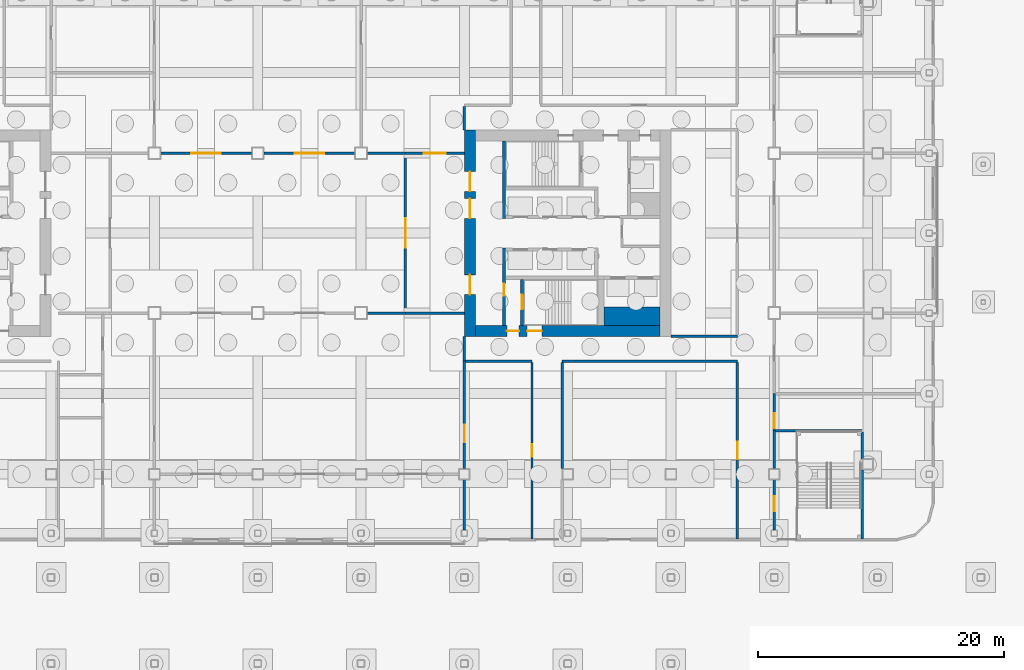
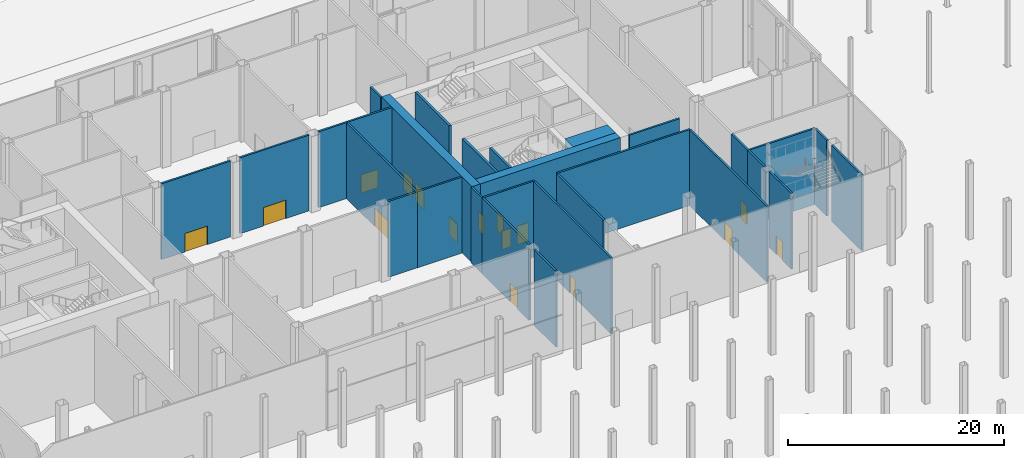
# One storey, part 40 of 113: 29 walls, 16 doors, 16 openings.
"""IFC4 building model written with IfcOpenShell, lengths in metres."""

from ifc_helpers import new_model, si_unit, direction, frame, frame_2d, origin, place, context, subcontext, project, spatial, rectangle, extrude, material, layer, layer_set, type_object, element, fill, save


model = new_model("IFC4")

# Units and contexts
model_context = context("Model", 3, precision=1e-05, world=origin(), true_north=direction((0.0, 1.0)))
body_context = subcontext(model_context, "Body", "Model", "MODEL_VIEW")
ifc_project = project(units=[si_unit("LENGTHUNIT", "METRE"), si_unit("AREAUNIT", "SQUARE_METRE"), si_unit("VOLUMEUNIT", "CUBIC_METRE"), si_unit("PLANEANGLEUNIT", "RADIAN"), si_unit("MASSUNIT", "GRAM", prefix="KILO")], contexts=[model_context])

# Site, building, storey
site_placement = place(None, origin())
site = spatial("IfcSite", under=ifc_project, at=site_placement, CompositionType="ELEMENT")
building_placement = place(site_placement, origin())
building = spatial("IfcBuilding", under=site, at=building_placement, Name="Hakoniwa Tower and Hamabe Station Hall", CompositionType="ELEMENT")
storey_placement = place(building_placement, origin())
storey = spatial("IfcBuildingStorey", under=building, at=storey_placement, Name="L01", CompositionType="ELEMENT", Elevation=0.0)

# Wall, openings, doors
ifc_material_1 = material(Name="Concrete C80", Category="concrete")
ifc_layer_1 = layer(ifc_material_1, 0.89990234375)
ifc_layer_set_1 = layer_set([ifc_layer_1], Name="CORE WALL 900 C80")
wall_type_1 = type_object("IfcWallType", Name="CORE WALL 900 C80", PredefinedType="SHEAR", material=ifc_layer_set_1)
wall_1_placement = place(storey_placement, frame((17.25, -8.39990234375, 0.0), z_axis=(0.0, 0.0, 1.0), x_axis=(0.0, 1.0, 0.0)))
wall_1 = element("IfcWall", 1, at=wall_1_placement, inside=storey, type_object=wall_type_1, Name="Core wall INNER east", PredefinedType="SHEAR", context=body_context, shape_type="SweptSolid", body=[
    extrude(rectangle(XDim=16.7998046875, YDim=0.89990234375, at=frame_2d((8.39990234375, 0.0))), origin(), (0.0, 0.0, 1.0), 8.60009765625),
])
opening_1_placement = place(wall_1_placement, frame((3.39990234375, 0.0, 0.0)))
opening_1 = element("IfcOpeningElement", 2, at=opening_1_placement, cuts=wall_1, Name="Opening CD-E-IN1-16", PredefinedType="OPENING", context=body_context, shape_type="SweptSolid", body=[
    extrude(rectangle(XDim=1.60009765625, YDim=2.10009765625, at=frame_2d((0.800048828125, 1.050048828125))), frame((0.0, 0.4599609375, 0.0), z_axis=(0.0, -1.0, 0.0), x_axis=(1.0, 0.0, 0.0)), (0.0, 0.0, 1.0), 0.919921875),
])
opening_2_placement = place(wall_1_placement, frame((9.60009765625, 0.0, 0.0)))
opening_2 = element("IfcOpeningElement", 3, at=opening_2_placement, cuts=wall_1, Name="Opening CD-E-IN2-16", PredefinedType="OPENING", context=body_context, shape_type="SweptSolid", body=[
    extrude(rectangle(XDim=1.60009765625, YDim=2.10009765625, at=frame_2d((0.800048828125, 1.050048828125))), frame((0.0, 0.4599609375, 0.0), z_axis=(0.0, -1.0, 0.0), x_axis=(1.0, 0.0, 0.0)), (0.0, 0.0, 1.0), 0.919921875),
])
opening_3_placement = place(wall_1_placement, frame((11.800048828125, 0.0, 0.0)))
opening_3 = element("IfcOpeningElement", 4, at=opening_3_placement, cuts=wall_1, Name="Opening CD-E-IN3-16", PredefinedType="OPENING", context=body_context, shape_type="SweptSolid", body=[
    extrude(rectangle(XDim=1.60009765625, YDim=2.10009765625, at=frame_2d((0.800048828125, 1.050048828125))), frame((0.0, 0.4599609375, 0.0), z_axis=(0.0, -1.0, 0.0), x_axis=(1.0, 0.0, 0.0)), (0.0, 0.0, 1.0), 0.919921875),
])
ifc_material_2 = material(Name="Steel fire door", Category="steel")
door_type_1 = type_object("IfcDoorType", Name="CORE DOOR 1600 FD60", OperationType="DOUBLE_DOOR_SINGLE_SWING", PredefinedType="DOOR", material=ifc_material_2)
door_1_placement = place(opening_1_placement, origin())
door_1 = element("IfcDoor", 5, at=door_1_placement, inside=storey, type_object=door_type_1, Name="Lift lobby door", OperationType="DOUBLE_DOOR_SINGLE_SWING", OverallHeight=2.10009765625, OverallWidth=1.60009765625, PredefinedType="DOOR", context=body_context, shape_type="SweptSolid", body=[
    extrude(rectangle(XDim=1.60009765625, YDim=2.10009765625, at=frame_2d((0.800048828125, 1.050048828125))), frame((0.0, 0.02490234375, 0.0), z_axis=(0.0, -1.0, 0.0), x_axis=(1.0, 0.0, 0.0)), (0.0, 0.0, 1.0), 0.050048828125),
])
fill(opening_1, door_1)
door_2_placement = place(opening_2_placement, origin())
door_2 = element("IfcDoor", 6, at=door_2_placement, inside=storey, type_object=door_type_1, Name="Lift lobby door", OperationType="DOUBLE_DOOR_SINGLE_SWING", OverallHeight=2.10009765625, OverallWidth=1.60009765625, PredefinedType="DOOR", context=body_context, shape_type="SweptSolid", body=[
    extrude(rectangle(XDim=1.60009765625, YDim=2.10009765625, at=frame_2d((0.800048828125, 1.050048828125))), frame((0.0, 0.02490234375, 0.0), z_axis=(0.0, -1.0, 0.0), x_axis=(1.0, 0.0, 0.0)), (0.0, 0.0, 1.0), 0.050048828125),
])
fill(opening_2, door_2)
door_3_placement = place(opening_3_placement, origin())
door_3 = element("IfcDoor", 7, at=door_3_placement, inside=storey, type_object=door_type_1, Name="Lift lobby door", OperationType="DOUBLE_DOOR_SINGLE_SWING", OverallHeight=2.10009765625, OverallWidth=1.60009765625, PredefinedType="DOOR", context=body_context, shape_type="SweptSolid", body=[
    extrude(rectangle(XDim=1.60009765625, YDim=2.10009765625, at=frame_2d((0.800048828125, 1.050048828125))), frame((0.0, 0.02490234375, 0.0), z_axis=(0.0, -1.0, 0.0), x_axis=(1.0, 0.0, 0.0)), (0.0, 0.0, 1.0), 0.050048828125),
])
fill(opening_3, door_3)

wall_2_placement = place(storey_placement, frame((17.699951171875, -7.949951171875, 0.0), z_axis=(0.0, 0.0, 1.0), x_axis=(1.0, 0.0, 0.0)))
wall_2 = element("IfcWall", 8, at=wall_2_placement, inside=storey, type_object=wall_type_1, Name="Core wall SOUTH east", PredefinedType="SHEAR", context=body_context, shape_type="SweptSolid", body=[
    extrude(rectangle(XDim=15.0, YDim=0.89990234375, at=frame_2d((7.5, 0.0))), origin(), (0.0, 0.0, 1.0), 8.60009765625),
])
opening_4_placement = place(wall_2_placement, frame((2.550048828125, 0.0, 0.0)))
opening_4 = element("IfcOpeningElement", 9, at=opening_4_placement, cuts=wall_2, Name="Opening CD-E-FS3-10", PredefinedType="OPENING", context=body_context, shape_type="SweptSolid", body=[
    extrude(rectangle(XDim=1.0, YDim=2.10009765625, at=frame_2d((0.5, 1.050048828125))), frame((0.0, 0.4599609375, 0.0), z_axis=(0.0, -1.0, 0.0), x_axis=(1.0, 0.0, 0.0)), (0.0, 0.0, 1.0), 0.919921875),
])
opening_5_placement = place(wall_2_placement, frame((4.199951171875, 0.0, 0.0)))
opening_5 = element("IfcOpeningElement", 10, at=opening_5_placement, cuts=wall_2, Name="Opening CD-E-FS5-12", PredefinedType="OPENING", context=body_context, shape_type="SweptSolid", body=[
    extrude(rectangle(XDim=1.199951171875, YDim=2.10009765625, at=frame_2d((0.60009765625, 1.050048828125))), frame((0.0, 0.4599609375, 0.0), z_axis=(0.0, -1.0, 0.0), x_axis=(1.0, 0.0, 0.0)), (0.0, 0.0, 1.0), 0.919921875),
])
ifc_material_3 = material(Name="Steel fire door", Category="steel")
door_type_2 = type_object("IfcDoorType", Name="CORE DOOR 1000 FD60", OperationType="NOTDEFINED", PredefinedType="DOOR", material=ifc_material_3)
door_4_placement = place(opening_4_placement, origin())
door_4 = element("IfcDoor", 11, at=door_4_placement, inside=storey, type_object=door_type_2, Name="Stair vestibule door", OperationType="SINGLE_SWING_LEFT", OverallHeight=2.10009765625, OverallWidth=1.0, PredefinedType="DOOR", context=body_context, shape_type="SweptSolid", body=[
    extrude(rectangle(XDim=1.0, YDim=2.10009765625, at=frame_2d((0.5, 1.050048828125))), frame((0.0, 0.02490234375, 0.0), z_axis=(0.0, -1.0, 0.0), x_axis=(1.0, 0.0, 0.0)), (0.0, 0.0, 1.0), 0.050048828125),
])
fill(opening_4, door_4)
ifc_material_4 = material(Name="Steel fire door", Category="steel")
door_type_3 = type_object("IfcDoorType", Name="CORE DOOR 1200 FD60", OperationType="DOUBLE_DOOR_SINGLE_SWING", PredefinedType="DOOR", material=ifc_material_4)
door_5_placement = place(opening_5_placement, frame((1.199951171875, 0.0, 0.0), z_axis=(0.0, 0.0, 1.0), x_axis=(-1.0, 0.0, 0.0)))
door_5 = element("IfcDoor", 12, at=door_5_placement, inside=storey, type_object=door_type_3, Name="Escape stair discharge door B", OperationType="DOUBLE_DOOR_SINGLE_SWING", OverallHeight=2.10009765625, OverallWidth=1.199951171875, PredefinedType="DOOR", context=body_context, shape_type="SweptSolid", body=[
    extrude(rectangle(XDim=1.199951171875, YDim=2.10009765625, at=frame_2d((0.60009765625, 1.050048828125))), frame((0.0, 0.02490234375, 0.0), z_axis=(0.0, -1.0, 0.0), x_axis=(1.0, 0.0, 0.0)), (0.0, 0.0, 1.0), 0.050048828125),
])
fill(opening_5, door_5)

# Walls
ifc_material_5 = material(Name="Concrete C80", Category="concrete")
ifc_layer_2 = layer(ifc_material_5, 1.5)
ifc_layer_set_2 = layer_set([ifc_layer_2], Name="CORE WEB WALL 1500 C80")
wall_type_2 = type_object("IfcWallType", Name="CORE WEB WALL 1500 C80", PredefinedType="SHEAR", material=ifc_layer_set_2)
wall_3_placement = place(storey_placement, frame((28.14990234375, -6.75, 0.0), z_axis=(0.0, 0.0, 1.0), x_axis=(1.0, 0.0, 0.0)))
element("IfcWall", 13, at=wall_3_placement, inside=storey, type_object=wall_type_2, Name="Core wall SER east", PredefinedType="SHEAR", context=body_context, shape_type="SweptSolid", body=[
    extrude(rectangle(XDim=4.550048828125, YDim=1.5, at=frame_2d((2.27490234375, 0.0))), origin(), (0.0, 0.0, 1.0), 8.60009765625),
])
ifc_material_6 = material(Name="Concrete C80", Category="concrete")
ifc_layer_3 = layer(ifc_material_6, 0.25)
ifc_layer_set_3 = layer_set([ifc_layer_3], Name="CORE WEB WALL 250 C80")
wall_type_3 = type_object("IfcWallType", Name="CORE WEB WALL 250 C80", PredefinedType="SHEAR", material=ifc_layer_set_3)
wall_4_placement = place(storey_placement, frame((20.02490234375, 1.199951171875, 0.0), z_axis=(0.0, 0.0, 1.0), x_axis=(0.0, 1.0, 0.0)))
element("IfcWall", 14, at=wall_4_placement, inside=storey, type_object=wall_type_3, Name="Core wall W1N east", PredefinedType="SHEAR", context=body_context, shape_type="SweptSolid", body=[
    extrude(rectangle(XDim=6.300048828125, YDim=0.25, at=frame_2d((3.14990234375, 0.0))), origin(), (0.0, 0.0, 1.0), 8.60009765625),
])

# Wall, opening, door
wall_5_placement = place(storey_placement, frame((20.02490234375, -7.5, 0.0), z_axis=(0.0, 0.0, 1.0), x_axis=(0.0, 1.0, 0.0)))
wall_5 = element("IfcWall", 15, at=wall_5_placement, inside=storey, type_object=wall_type_3, Name="Core wall W1S east", PredefinedType="SHEAR", context=body_context, shape_type="SweptSolid", body=[
    extrude(rectangle(XDim=6.300048828125, YDim=0.25, at=frame_2d((3.14990234375, 0.0))), origin(), (0.0, 0.0, 1.0), 8.60009765625),
])
opening_6_placement = place(wall_5_placement, frame((2.39990234375, 0.0, 0.0)))
opening_6 = element("IfcOpeningElement", 16, at=opening_6_placement, cuts=wall_5, Name="Opening CD-E-VS-10", PredefinedType="OPENING", context=body_context, shape_type="SweptSolid", body=[
    extrude(rectangle(XDim=1.0, YDim=2.10009765625, at=frame_2d((0.5, 1.050048828125))), frame((0.0, 0.135009765625, 0.0), z_axis=(0.0, -1.0, 0.0), x_axis=(1.0, 0.0, 0.0)), (0.0, 0.0, 1.0), 0.27001953125),
])
door_6_placement = place(opening_6_placement, origin())
door_6 = element("IfcDoor", 17, at=door_6_placement, inside=storey, type_object=door_type_2, Name="Stair vestibule door", OperationType="SINGLE_SWING_RIGHT", OverallHeight=2.10009765625, OverallWidth=1.0, PredefinedType="DOOR", context=body_context, shape_type="SweptSolid", body=[
    extrude(rectangle(XDim=1.0, YDim=2.10009765625, at=frame_2d((0.5, 1.050048828125))), frame((0.0, 0.02490234375, 0.0), z_axis=(0.0, -1.0, 0.0), x_axis=(1.0, 0.0, 0.0)), (0.0, 0.0, 1.0), 0.050048828125),
])
fill(opening_6, door_6)

wall_6_placement = place(storey_placement, frame((21.47509765625, -7.5, 0.0), z_axis=(0.0, 0.0, 1.0), x_axis=(0.0, 1.0, 0.0)))
wall_6 = element("IfcWall", 18, at=wall_6_placement, inside=storey, type_object=wall_type_3, Name="Core wall VE east", PredefinedType="SHEAR", context=body_context, shape_type="SweptSolid", body=[
    extrude(rectangle(XDim=3.75, YDim=0.25, at=frame_2d((1.875, 0.0))), origin(), (0.0, 0.0, 1.0), 8.60009765625),
])
opening_7_placement = place(wall_6_placement, frame((1.300048828125, 0.0, 0.0)))
opening_7 = element("IfcOpeningElement", 19, at=opening_7_placement, cuts=wall_6, Name="Opening CD-E-SS-12", PredefinedType="OPENING", context=body_context, shape_type="SweptSolid", body=[
    extrude(rectangle(XDim=1.199951171875, YDim=2.10009765625, at=frame_2d((0.60009765625, 1.050048828125))), frame((0.0, 0.135009765625, 0.0), z_axis=(0.0, -1.0, 0.0), x_axis=(1.0, 0.0, 0.0)), (0.0, 0.0, 1.0), 0.27001953125),
])
door_7_placement = place(opening_7_placement, origin())
door_7 = element("IfcDoor", 20, at=door_7_placement, inside=storey, type_object=door_type_3, Name="Escape stair door", OperationType="DOUBLE_DOOR_SINGLE_SWING", OverallHeight=2.10009765625, OverallWidth=1.199951171875, PredefinedType="DOOR", context=body_context, shape_type="SweptSolid", body=[
    extrude(rectangle(XDim=1.199951171875, YDim=2.10009765625, at=frame_2d((0.60009765625, 1.050048828125))), frame((0.0, 0.02490234375, 0.0), z_axis=(0.0, -1.0, 0.0), x_axis=(1.0, 0.0, 0.0)), (0.0, 0.0, 1.0), 0.050048828125),
])
fill(opening_7, door_7)

ifc_material_7 = material(Name="Fire-rated gypsum board partition")
ifc_layer_4 = layer(ifc_material_7, 0.199951171875)
ifc_layer_set_4 = layer_set([ifc_layer_4], Name="FIRE PARTITION 200 EI 60")
wall_type_4 = type_object("IfcWallType", Name="FIRE PARTITION 200 EI 60", PredefinedType="PARTITIONING", material=ifc_layer_set_4)
wall_7_placement = place(storey_placement, frame((22.300048828125, -24.85009765625, 0.0), z_axis=(0.0, 0.0, 1.0), x_axis=(0.0, 1.0, 0.0)))
wall_7 = element("IfcWall", 21, at=wall_7_placement, inside=storey, type_object=wall_type_4, Name="Wall East Service Corridor / Hotel Gift Shop", PredefinedType="PARTITIONING", context=body_context, shape_type="SweptSolid", body=[
    extrude(rectangle(XDim=14.35009765625, YDim=0.199951171875, at=frame_2d((7.175048828125, 0.0))), origin(), (0.0, 0.0, 1.0), 8.60009765625),
])
opening_8_placement = place(wall_7_placement, frame((6.675048828125, 0.0, 0.0)))
opening_8 = element("IfcOpeningElement", 22, at=opening_8_placement, cuts=wall_7, Name="Opening PD-L01-042", PredefinedType="OPENING", context=body_context, shape_type="SweptSolid", body=[
    extrude(rectangle(XDim=1.0, YDim=2.10009765625, at=frame_2d((0.5, 1.050048828125))), frame((0.0, 0.10986328125, 0.0), z_axis=(0.0, -1.0, 0.0), x_axis=(1.0, 0.0, 0.0)), (0.0, 0.0, 1.0), 0.219970703125),
])
ifc_material_8 = material(Name="Steel fire door", Category="steel")
door_type_4 = type_object("IfcDoorType", Name="FIRE DOOR 1000X2100 FD60", OperationType="SINGLE_SWING_LEFT", PredefinedType="DOOR", material=ifc_material_8)
door_8_placement = place(opening_8_placement, origin())
door_8 = element("IfcDoor", 23, at=door_8_placement, inside=storey, type_object=door_type_4, Name="Door PD-L01-042", OperationType="SINGLE_SWING_RIGHT", OverallHeight=2.10009765625, OverallWidth=1.0, PredefinedType="DOOR", context=body_context, shape_type="SweptSolid", body=[
    extrude(rectangle(XDim=1.0, YDim=2.10009765625, at=frame_2d((0.5, 1.050048828125))), frame((0.0, 0.02490234375, 0.0), z_axis=(0.0, -1.0, 0.0), x_axis=(1.0, 0.0, 0.0)), (0.0, 0.0, 1.0), 0.050048828125),
])
fill(opening_8, door_8)

# Walls
wall_8_placement = place(storey_placement, frame((22.300048828125, -10.39990234375, 0.0), z_axis=(0.0, 0.0, 1.0), x_axis=(-1.0, 0.0, 0.0)))
element("IfcWall", 24, at=wall_8_placement, inside=storey, type_object=wall_type_4, Name="Wall East Service Corridor / Hotel Gift Shop", PredefinedType="PARTITIONING", context=body_context, shape_type="SweptSolid", body=[
    extrude(rectangle(XDim=5.400146484375, YDim=0.199951171875, at=frame_2d((2.7001953125, 0.0))), origin(), (0.0, 0.0, 1.0), 8.60009765625),
])
wall_9_placement = place(storey_placement, frame((16.800048828125, 8.39990234375, 0.0), z_axis=(0.0, 0.0, 1.0), x_axis=(0.0, 1.0, 0.0)))
element("IfcWall", 25, at=wall_9_placement, inside=storey, type_object=wall_type_4, Name="Wall East Service Corridor / Hotel Lounge", PredefinedType="PARTITIONING", context=body_context, shape_type="SweptSolid", body=[
    extrude(rectangle(XDim=1.900146484375, YDim=0.199951171875, at=frame_2d((0.9501953125, 0.0))), origin(), (0.0, 0.0, 1.0), 8.60009765625),
])
wall_10_placement = place(storey_placement, frame((33.60009765625, -8.39990234375, 0.0), z_axis=(0.0, 0.0, 1.0), x_axis=(1.0, 0.0, 0.0)))
element("IfcWall", 26, at=wall_10_placement, inside=storey, type_object=wall_type_4, Name="Wall East Service Corridor / Restaurant Store", PredefinedType="PARTITIONING", context=body_context, shape_type="SweptSolid", body=[
    extrude(rectangle(XDim=5.39990234375, YDim=0.199951171875, at=frame_2d((2.699951171875, 0.0))), origin(), (0.0, 0.0, 1.0), 8.60009765625),
])

# Wall, opening, door
wall_11_placement = place(storey_placement, frame((42.0, -13.050048828125, 0.0), z_axis=(0.0, 0.0, 1.0), x_axis=(0.0, -1.0, 0.0)))
wall_11 = element("IfcWall", 27, at=wall_11_placement, inside=storey, type_object=wall_type_4, Name="Wall East Service Corridor / Retail Unit 3", PredefinedType="PARTITIONING", context=body_context, shape_type="SweptSolid", body=[
    extrude(rectangle(XDim=3.0, YDim=0.199951171875, at=frame_2d((1.5, 0.0))), origin(), (0.0, 0.0, 1.0), 8.60009765625),
])
opening_9_placement = place(wall_11_placement, frame((1.60009765625, 0.0, 0.0)))
opening_9 = element("IfcOpeningElement", 28, at=opening_9_placement, cuts=wall_11, Name="Opening PD-L01-048", PredefinedType="OPENING", context=body_context, shape_type="SweptSolid", body=[
    extrude(rectangle(XDim=1.199951171875, YDim=2.10009765625, at=frame_2d((0.60009765625, 1.050048828125))), frame((0.0, 0.10986328125, 0.0), z_axis=(0.0, -1.0, 0.0), x_axis=(1.0, 0.0, 0.0)), (0.0, 0.0, 1.0), 0.219970703125),
])
ifc_material_9 = material(Name="Steel fire door", Category="steel")
door_type_5 = type_object("IfcDoorType", Name="FIRE DOOR 1200X2100 FD60", OperationType="SINGLE_SWING_LEFT", PredefinedType="DOOR", material=ifc_material_9)
door_9_placement = place(opening_9_placement, origin())
door_9 = element("IfcDoor", 29, at=door_9_placement, inside=storey, type_object=door_type_5, Name="Door PD-L01-048", OperationType="SINGLE_SWING_LEFT", OverallHeight=2.10009765625, OverallWidth=1.199951171875, PredefinedType="DOOR", context=body_context, shape_type="SweptSolid", body=[
    extrude(rectangle(XDim=1.199951171875, YDim=2.10009765625, at=frame_2d((0.60009765625, 1.050048828125))), frame((0.0, 0.02490234375, 0.0), z_axis=(0.0, -1.0, 0.0), x_axis=(1.0, 0.0, 0.0)), (0.0, 0.0, 1.0), 0.050048828125),
])
fill(opening_9, door_9)

# Wall
wall_12_placement = place(storey_placement, frame((24.75, -10.5, 0.0), z_axis=(0.0, 0.0, 1.0), x_axis=(0.0, -1.0, 0.0)))
element("IfcWall", 30, at=wall_12_placement, inside=storey, type_object=wall_type_4, Name="Wall East Service Corridor / Retail Unit 5", PredefinedType="PARTITIONING", context=body_context, shape_type="SweptSolid", body=[
    extrude(rectangle(XDim=8.64990234375, YDim=0.199951171875, at=frame_2d((4.324951171875, 0.0))), origin(), (0.0, 0.0, 1.0), 8.60009765625),
])

# Wall, opening, door
wall_13_placement = place(storey_placement, frame((39.0, -24.85009765625, 0.0), z_axis=(0.0, 0.0, 1.0), x_axis=(0.0, 1.0, 0.0)))
wall_13 = element("IfcWall", 31, at=wall_13_placement, inside=storey, type_object=wall_type_4, Name="Wall East Service Corridor / Retail Unit 5", PredefinedType="PARTITIONING", context=body_context, shape_type="SweptSolid", body=[
    extrude(rectangle(XDim=14.35009765625, YDim=0.199951171875, at=frame_2d((7.175048828125, 0.0))), origin(), (0.0, 0.0, 1.0), 8.60009765625),
])
opening_10_placement = place(wall_13_placement, frame((6.47509765625, 0.0, 0.0)))
opening_10 = element("IfcOpeningElement", 32, at=opening_10_placement, cuts=wall_13, Name="Opening PD-L01-043", PredefinedType="OPENING", context=body_context, shape_type="SweptSolid", body=[
    extrude(rectangle(XDim=1.39990234375, YDim=2.10009765625, at=frame_2d((0.699951171875, 1.050048828125))), frame((0.0, 0.10986328125, 0.0), z_axis=(0.0, -1.0, 0.0), x_axis=(1.0, 0.0, 0.0)), (0.0, 0.0, 1.0), 0.219970703125),
])
ifc_material_10 = material(Name="Steel fire door", Category="steel")
door_type_6 = type_object("IfcDoorType", Name="FIRE DOOR 1400X2100 FD60", OperationType="SINGLE_SWING_LEFT", PredefinedType="DOOR", material=ifc_material_10)
door_10_placement = place(opening_10_placement, origin())
door_10 = element("IfcDoor", 33, at=door_10_placement, inside=storey, type_object=door_type_6, Name="Door PD-L01-043", OperationType="SINGLE_SWING_LEFT", OverallHeight=2.10009765625, OverallWidth=1.39990234375, PredefinedType="DOOR", context=body_context, shape_type="SweptSolid", body=[
    extrude(rectangle(XDim=1.39990234375, YDim=2.10009765625, at=frame_2d((0.699951171875, 1.050048828125))), frame((0.0, 0.02490234375, 0.0), z_axis=(0.0, -1.0, 0.0), x_axis=(1.0, 0.0, 0.0)), (0.0, 0.0, 1.0), 0.050048828125),
])
fill(opening_10, door_10)

# Walls
wall_14_placement = place(storey_placement, frame((39.0, -10.39990234375, 0.0), z_axis=(0.0, 0.0, 1.0), x_axis=(-1.0, 0.0, 0.0)))
element("IfcWall", 34, at=wall_14_placement, inside=storey, type_object=wall_type_4, Name="Wall East Service Corridor / Retail Unit 5", PredefinedType="PARTITIONING", context=body_context, shape_type="SweptSolid", body=[
    extrude(rectangle(XDim=14.25, YDim=0.199951171875, at=frame_2d((7.125, 0.0))), origin(), (0.0, 0.0, 1.0), 8.60009765625),
])
wall_15_placement = place(storey_placement, frame((16.800048828125, -10.39990234375, 0.0), z_axis=(0.0, 0.0, 1.0), x_axis=(0.0, 1.0, 0.0)))
element("IfcWall", 35, at=wall_15_placement, inside=storey, type_object=wall_type_4, Name="Wall East Service Corridor / Tea Lounge", PredefinedType="PARTITIONING", context=body_context, shape_type="SweptSolid", body=[
    extrude(rectangle(XDim=2.0, YDim=0.199951171875, at=frame_2d((1.0, 0.0))), origin(), (0.0, 0.0, 1.0), 8.60009765625),
])

# Wall, opening, door
wall_16_placement = place(storey_placement, frame((12.0, -6.39990234375, 0.0), z_axis=(0.0, 0.0, 1.0), x_axis=(0.0, 1.0, 0.0)))
wall_16 = element("IfcWall", 36, at=wall_16_placement, inside=storey, type_object=wall_type_4, Name="Wall Guest Lift Hall East / Lobby Lounge", PredefinedType="PARTITIONING", context=body_context, shape_type="SweptSolid", body=[
    extrude(rectangle(XDim=12.7998046875, YDim=0.199951171875, at=frame_2d((6.39990234375, 0.0))), origin(), (0.0, 0.0, 1.0), 8.60009765625),
])
opening_11_placement = place(wall_16_placement, frame((5.199951171875, 0.0, 0.0)))
opening_11 = element("IfcOpeningElement", 37, at=opening_11_placement, cuts=wall_16, Name="Opening PD-L01-004", PredefinedType="OPENING", context=body_context, shape_type="SweptSolid", body=[
    extrude(rectangle(XDim=2.39990234375, YDim=2.10009765625, at=frame_2d((1.199951171875, 1.050048828125))), frame((0.0, 0.10986328125, 0.0), z_axis=(0.0, -1.0, 0.0), x_axis=(1.0, 0.0, 0.0)), (0.0, 0.0, 1.0), 0.219970703125),
])
ifc_material_11 = material(Name="Glazed aluminium door", Category="aluminium")
door_type_7 = type_object("IfcDoorType", Name="DOUBLE GLAZED DOOR 2400X2100", OperationType="DOUBLE_DOOR_DOUBLE_SWING", PredefinedType="DOOR", material=ifc_material_11)
door_11_placement = place(opening_11_placement, origin())
door_11 = element("IfcDoor", 38, at=door_11_placement, inside=storey, type_object=door_type_7, Name="Door PD-L01-004", OperationType="DOUBLE_DOOR_DOUBLE_SWING", OverallHeight=2.10009765625, OverallWidth=2.39990234375, PredefinedType="DOOR", context=body_context, shape_type="SweptSolid", body=[
    extrude(rectangle(XDim=2.39990234375, YDim=2.10009765625, at=frame_2d((1.199951171875, 1.050048828125))), frame((0.0, 0.02490234375, 0.0), z_axis=(0.0, -1.0, 0.0), x_axis=(1.0, 0.0, 0.0)), (0.0, 0.0, 1.0), 0.050048828125),
])
fill(opening_11, door_11)

wall_17_placement = place(storey_placement, frame((12.0, 6.5, 0.0), z_axis=(0.0, 0.0, 1.0), x_axis=(1.0, 0.0, 0.0)))
wall_17 = element("IfcWall", 39, at=wall_17_placement, inside=storey, type_object=wall_type_4, Name="Wall Guest Lift Hall East / Hotel Lounge", PredefinedType="PARTITIONING", context=body_context, shape_type="SweptSolid", body=[
    extrude(rectangle(XDim=4.800048828125, YDim=0.199951171875, at=frame_2d((2.39990234375, 0.0))), origin(), (0.0, 0.0, 1.0), 8.60009765625),
])
opening_12_placement = place(wall_17_placement, frame((1.5, 0.0, 0.0)))
opening_12 = element("IfcOpeningElement", 40, at=opening_12_placement, cuts=wall_17, Name="Opening PD-L01-019", PredefinedType="OPENING", context=body_context, shape_type="SweptSolid", body=[
    extrude(rectangle(XDim=1.800048828125, YDim=2.10009765625, at=frame_2d((0.89990234375, 1.050048828125))), frame((0.0, 0.10986328125, 0.0), z_axis=(0.0, -1.0, 0.0), x_axis=(1.0, 0.0, 0.0)), (0.0, 0.0, 1.0), 0.219970703125),
])
ifc_material_12 = material(Name="Glazed aluminium door", Category="aluminium")
door_type_8 = type_object("IfcDoorType", Name="DOUBLE GLAZED DOOR 1800X2100", OperationType="DOUBLE_DOOR_DOUBLE_SWING", PredefinedType="DOOR", material=ifc_material_12)
door_12_placement = place(opening_12_placement, origin())
door_12 = element("IfcDoor", 41, at=door_12_placement, inside=storey, type_object=door_type_8, Name="Door PD-L01-019", OperationType="DOUBLE_DOOR_DOUBLE_SWING", OverallHeight=2.10009765625, OverallWidth=1.800048828125, PredefinedType="DOOR", context=body_context, shape_type="SweptSolid", body=[
    extrude(rectangle(XDim=1.800048828125, YDim=2.10009765625, at=frame_2d((0.89990234375, 1.050048828125))), frame((0.0, 0.02490234375, 0.0), z_axis=(0.0, -1.0, 0.0), x_axis=(1.0, 0.0, 0.0)), (0.0, 0.0, 1.0), 0.050048828125),
])
fill(opening_12, door_12)

# Wall
wall_18_placement = place(storey_placement, frame((8.89990234375, 6.5, 0.0), z_axis=(0.0, 0.0, 1.0), x_axis=(1.0, 0.0, 0.0)))
element("IfcWall", 42, at=wall_18_placement, inside=storey, type_object=wall_type_4, Name="Wall Lobby Lounge / Hotel Lounge", PredefinedType="PARTITIONING", context=body_context, shape_type="SweptSolid", body=[
    extrude(rectangle(XDim=3.10009765625, YDim=0.199951171875, at=frame_2d((1.550048828125, 0.0))), origin(), (0.0, 0.0, 1.0), 8.60009765625),
])

# Wall, opening, door
wall_19_placement = place(storey_placement, frame((-7.89990234375, 6.5, 0.0), z_axis=(0.0, 0.0, 1.0), x_axis=(1.0, 0.0, 0.0)))
wall_19 = element("IfcWall", 43, at=wall_19_placement, inside=storey, type_object=wall_type_4, Name="Wall Lobby Lounge / Arrival Lobby", PredefinedType="PARTITIONING", context=body_context, shape_type="SweptSolid", body=[
    extrude(rectangle(XDim=7.39990234375, YDim=0.199951171875, at=frame_2d((3.699951171875, 0.0))), origin(), (0.0, 0.0, 1.0), 8.60009765625),
])
opening_13_placement = place(wall_19_placement, frame((2.5, 0.0, 0.0)))
opening_13 = element("IfcOpeningElement", 44, at=opening_13_placement, cuts=wall_19, Name="Opening PD-L01-001", PredefinedType="OPENING", context=body_context, shape_type="SweptSolid", body=[
    extrude(rectangle(XDim=2.39990234375, YDim=2.10009765625, at=frame_2d((1.199951171875, 1.050048828125))), frame((0.0, 0.10986328125, 0.0), z_axis=(0.0, -1.0, 0.0), x_axis=(1.0, 0.0, 0.0)), (0.0, 0.0, 1.0), 0.219970703125),
])
door_13_placement = place(opening_13_placement, origin())
door_13 = element("IfcDoor", 45, at=door_13_placement, inside=storey, type_object=door_type_7, Name="Door PD-L01-001", OperationType="DOUBLE_DOOR_DOUBLE_SWING", OverallHeight=2.10009765625, OverallWidth=2.39990234375, PredefinedType="DOOR", context=body_context, shape_type="SweptSolid", body=[
    extrude(rectangle(XDim=2.39990234375, YDim=2.10009765625, at=frame_2d((1.199951171875, 1.050048828125))), frame((0.0, 0.02490234375, 0.0), z_axis=(0.0, -1.0, 0.0), x_axis=(1.0, 0.0, 0.0)), (0.0, 0.0, 1.0), 0.050048828125),
])
fill(opening_13, door_13)

wall_20_placement = place(storey_placement, frame((0.5, 6.5, 0.0), z_axis=(0.0, 0.0, 1.0), x_axis=(1.0, 0.0, 0.0)))
wall_20 = element("IfcWall", 46, at=wall_20_placement, inside=storey, type_object=wall_type_4, Name="Wall Lobby Lounge / Arrival Lobby", PredefinedType="PARTITIONING", context=body_context, shape_type="SweptSolid", body=[
    extrude(rectangle(XDim=7.39990234375, YDim=0.199951171875, at=frame_2d((3.699951171875, 0.0))), origin(), (0.0, 0.0, 1.0), 8.60009765625),
])
opening_14_placement = place(wall_20_placement, frame((2.5, 0.0, 0.0)))
opening_14 = element("IfcOpeningElement", 47, at=opening_14_placement, cuts=wall_20, Name="Opening PD-L01-002", PredefinedType="OPENING", context=body_context, shape_type="SweptSolid", body=[
    extrude(rectangle(XDim=2.39990234375, YDim=2.10009765625, at=frame_2d((1.199951171875, 1.050048828125))), frame((0.0, 0.10986328125, 0.0), z_axis=(0.0, -1.0, 0.0), x_axis=(1.0, 0.0, 0.0)), (0.0, 0.0, 1.0), 0.219970703125),
])
door_14_placement = place(opening_14_placement, origin())
door_14 = element("IfcDoor", 48, at=door_14_placement, inside=storey, type_object=door_type_7, Name="Door PD-L01-002", OperationType="DOUBLE_DOOR_DOUBLE_SWING", OverallHeight=2.10009765625, OverallWidth=2.39990234375, PredefinedType="DOOR", context=body_context, shape_type="SweptSolid", body=[
    extrude(rectangle(XDim=2.39990234375, YDim=2.10009765625, at=frame_2d((1.199951171875, 1.050048828125))), frame((0.0, 0.02490234375, 0.0), z_axis=(0.0, -1.0, 0.0), x_axis=(1.0, 0.0, 0.0)), (0.0, 0.0, 1.0), 0.050048828125),
])
fill(opening_14, door_14)

wall_21_placement = place(storey_placement, frame((16.800048828125, -10.39990234375, 0.0), z_axis=(0.0, 0.0, 1.0), x_axis=(0.0, -1.0, 0.0)))
wall_21 = element("IfcWall", 49, at=wall_21_placement, inside=storey, type_object=wall_type_4, Name="Wall Tea Lounge / Hotel Gift Shop", PredefinedType="PARTITIONING", context=body_context, shape_type="SweptSolid", body=[
    extrude(rectangle(XDim=8.75, YDim=0.199951171875, at=frame_2d((4.375, 0.0))), origin(), (0.0, 0.0, 1.0), 8.60009765625),
])
opening_15_placement = place(wall_21_placement, frame((5.199951171875, 0.0, 0.0)))
opening_15 = element("IfcOpeningElement", 50, at=opening_15_placement, cuts=wall_21, Name="Opening PD-L01-026", PredefinedType="OPENING", context=body_context, shape_type="SweptSolid", body=[
    extrude(rectangle(XDim=1.39990234375, YDim=2.10009765625, at=frame_2d((0.699951171875, 1.050048828125))), frame((0.0, 0.10986328125, 0.0), z_axis=(0.0, -1.0, 0.0), x_axis=(1.0, 0.0, 0.0)), (0.0, 0.0, 1.0), 0.219970703125),
])
ifc_material_13 = material(Name="Timber door leaf", Category="wood")
door_type_9 = type_object("IfcDoorType", Name="SINGLE DOOR 1400X2100", OperationType="SINGLE_SWING_LEFT", PredefinedType="DOOR", material=ifc_material_13)
door_15_placement = place(opening_15_placement, origin())
door_15 = element("IfcDoor", 51, at=door_15_placement, inside=storey, type_object=door_type_9, Name="Door PD-L01-026", OperationType="SINGLE_SWING_RIGHT", OverallHeight=2.10009765625, OverallWidth=1.39990234375, PredefinedType="DOOR", context=body_context, shape_type="SweptSolid", body=[
    extrude(rectangle(XDim=1.39990234375, YDim=2.10009765625, at=frame_2d((0.699951171875, 1.050048828125))), frame((0.0, 0.02490234375, 0.0), z_axis=(0.0, -1.0, 0.0), x_axis=(1.0, 0.0, 0.0)), (0.0, 0.0, 1.0), 0.050048828125),
])
fill(opening_15, door_15)

# Walls
wall_22_placement = place(storey_placement, frame((12.0, -6.5, 0.0), z_axis=(0.0, 0.0, 1.0), x_axis=(1.0, 0.0, 0.0)))
element("IfcWall", 52, at=wall_22_placement, inside=storey, type_object=wall_type_4, Name="Wall Tea Lounge / Guest Lift Hall East", PredefinedType="PARTITIONING", context=body_context, shape_type="SweptSolid", body=[
    extrude(rectangle(XDim=4.800048828125, YDim=0.199951171875, at=frame_2d((2.39990234375, 0.0))), origin(), (0.0, 0.0, 1.0), 8.60009765625),
])
wall_23_placement = place(storey_placement, frame((8.89990234375, -6.5, 0.0), z_axis=(0.0, 0.0, 1.0), x_axis=(1.0, 0.0, 0.0)))
element("IfcWall", 53, at=wall_23_placement, inside=storey, type_object=wall_type_4, Name="Wall Tea Lounge / Lobby Lounge", PredefinedType="PARTITIONING", context=body_context, shape_type="SweptSolid", body=[
    extrude(rectangle(XDim=3.10009765625, YDim=0.199951171875, at=frame_2d((1.550048828125, 0.0))), origin(), (0.0, 0.0, 1.0), 8.60009765625),
])
wall_24_placement = place(storey_placement, frame((16.800048828125, -20.050048828125, 0.0), z_axis=(0.0, 0.0, 1.0), x_axis=(0.0, -1.0, 0.0)))
element("IfcWall", 54, at=wall_24_placement, inside=storey, type_object=wall_type_4, Name="Wall Tea Lounge Entrance Gallery / Hotel Gift Shop", PredefinedType="PARTITIONING", context=body_context, shape_type="SweptSolid", body=[
    extrude(rectangle(XDim=4.099853515625, YDim=0.199951171875, at=frame_2d((2.0498046875, 0.0))), origin(), (0.0, 0.0, 1.0), 8.60009765625),
])

# Wall, opening, door
ifc_material_14 = material(Name="Concrete C40", Category="concrete")
ifc_layer_5 = layer(ifc_material_14, 0.199951171875)
ifc_layer_set_5 = layer_set([ifc_layer_5], Name="RC WALL 200 EI 60 C40")
wall_type_5 = type_object("IfcWallType", Name="RC WALL 200 EI 60 C40", PredefinedType="SHEAR", material=ifc_layer_set_5)
wall_25_placement = place(storey_placement, frame((42.0, -24.14990234375, 0.0), z_axis=(0.0, 0.0, 1.0), x_axis=(0.0, 1.0, 0.0)))
wall_25 = element("IfcWall", 55, at=wall_25_placement, inside=storey, type_object=wall_type_5, Name="Wall Escape Stair PS3 / East Service Corridor", PredefinedType="SHEAR", context=body_context, shape_type="SweptSolid", body=[
    extrude(rectangle(XDim=4.099853515625, YDim=0.199951171875, at=frame_2d((2.0498046875, 0.0))), origin(), (0.0, 0.0, 1.0), 8.60009765625),
])
opening_16_placement = place(wall_25_placement, frame((1.550048828125, 0.0, 0.0)))
opening_16 = element("IfcOpeningElement", 56, at=opening_16_placement, cuts=wall_25, Name="Opening PD-L01-039", PredefinedType="OPENING", context=body_context, shape_type="SweptSolid", body=[
    extrude(rectangle(XDim=1.199951171875, YDim=2.10009765625, at=frame_2d((0.60009765625, 1.050048828125))), frame((0.0, 0.10986328125, 0.0), z_axis=(0.0, -1.0, 0.0), x_axis=(1.0, 0.0, 0.0)), (0.0, 0.0, 1.0), 0.219970703125),
])
door_16_placement = place(opening_16_placement, origin())
door_16 = element("IfcDoor", 57, at=door_16_placement, inside=storey, type_object=door_type_5, Name="Escape stair door PS3", OperationType="SINGLE_SWING_LEFT", OverallHeight=2.10009765625, OverallWidth=1.199951171875, PredefinedType="DOOR", context=body_context, shape_type="SweptSolid", body=[
    extrude(rectangle(XDim=1.199951171875, YDim=2.10009765625, at=frame_2d((0.60009765625, 1.050048828125))), frame((0.0, 0.02490234375, 0.0), z_axis=(0.0, -1.0, 0.0), x_axis=(1.0, 0.0, 0.0)), (0.0, 0.0, 1.0), 0.050048828125),
])
fill(opening_16, door_16)

# Walls
wall_26_placement = place(storey_placement, frame((42.0, -19.14990234375, 0.0), z_axis=(0.0, 0.0, 1.0), x_axis=(0.0, 1.0, 0.0)))
element("IfcWall", 58, at=wall_26_placement, inside=storey, type_object=wall_type_5, Name="Wall Escape Stair PS3 / East Service Corridor", PredefinedType="SHEAR", context=body_context, shape_type="SweptSolid", body=[
    extrude(rectangle(XDim=3.099853515625, YDim=0.199951171875, at=frame_2d((1.5498046875, 0.0))), origin(), (0.0, 0.0, 1.0), 8.60009765625),
])
wall_27_placement = place(storey_placement, frame((42.10009765625, -16.050048828125, 0.0), z_axis=(0.0, 0.0, 1.0), x_axis=(1.0, 0.0, 0.0)))
element("IfcWall", 59, at=wall_27_placement, inside=storey, type_object=wall_type_5, Name="Wall Escape Stair PS3 / Retail Unit 3", PredefinedType="SHEAR", context=body_context, shape_type="SweptSolid", body=[
    extrude(rectangle(XDim=7.0498046875, YDim=0.199951171875, at=frame_2d((3.52490234375, 0.0))), origin(), (0.0, 0.0, 1.0), 8.60009765625),
])
wall_28_placement = place(storey_placement, frame((49.14990234375, -16.14990234375, 0.0), z_axis=(0.0, 0.0, 1.0), x_axis=(0.0, -1.0, 0.0)))
element("IfcWall", 60, at=wall_28_placement, inside=storey, type_object=wall_type_5, Name="Wall Escape Stair PS3 / Retail Unit 3", PredefinedType="SHEAR", context=body_context, shape_type="SweptSolid", body=[
    extrude(rectangle(XDim=2.203125, YDim=0.199951171875, at=frame_2d((1.1015625, 0.0))), origin(), (0.0, 0.0, 1.0), 8.60009765625),
])
wall_29_placement = place(storey_placement, frame((49.14990234375, -19.253173828125, 0.0), z_axis=(0.0, 0.0, 1.0), x_axis=(0.0, -1.0, 0.0)))
element("IfcWall", 61, at=wall_29_placement, inside=storey, type_object=wall_type_5, Name="Wall Escape Stair PS3 / Retail Unit 3", PredefinedType="SHEAR", context=body_context, shape_type="SweptSolid", body=[
    extrude(rectangle(XDim=5.596923828125, YDim=0.199951171875, at=frame_2d((2.79833984375, 0.0))), origin(), (0.0, 0.0, 1.0), 8.60009765625),
])

save(model, "model.ifc")
